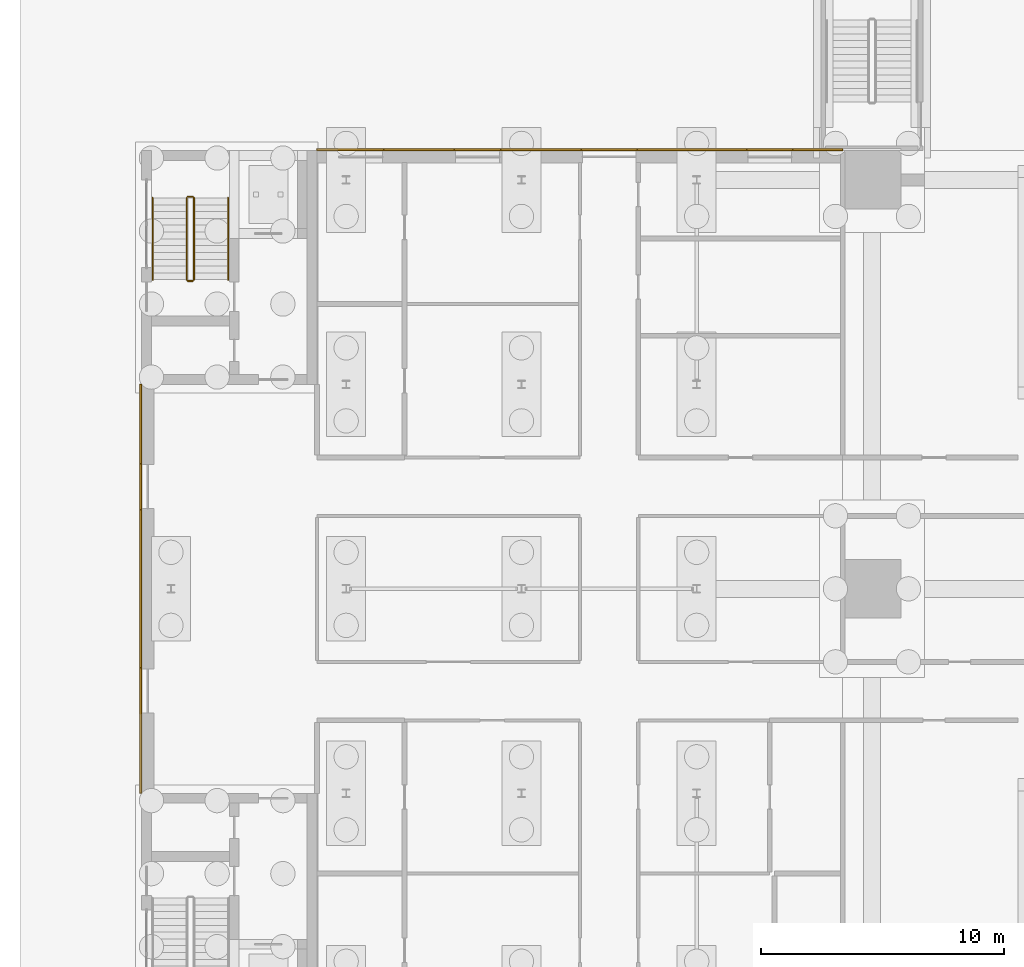
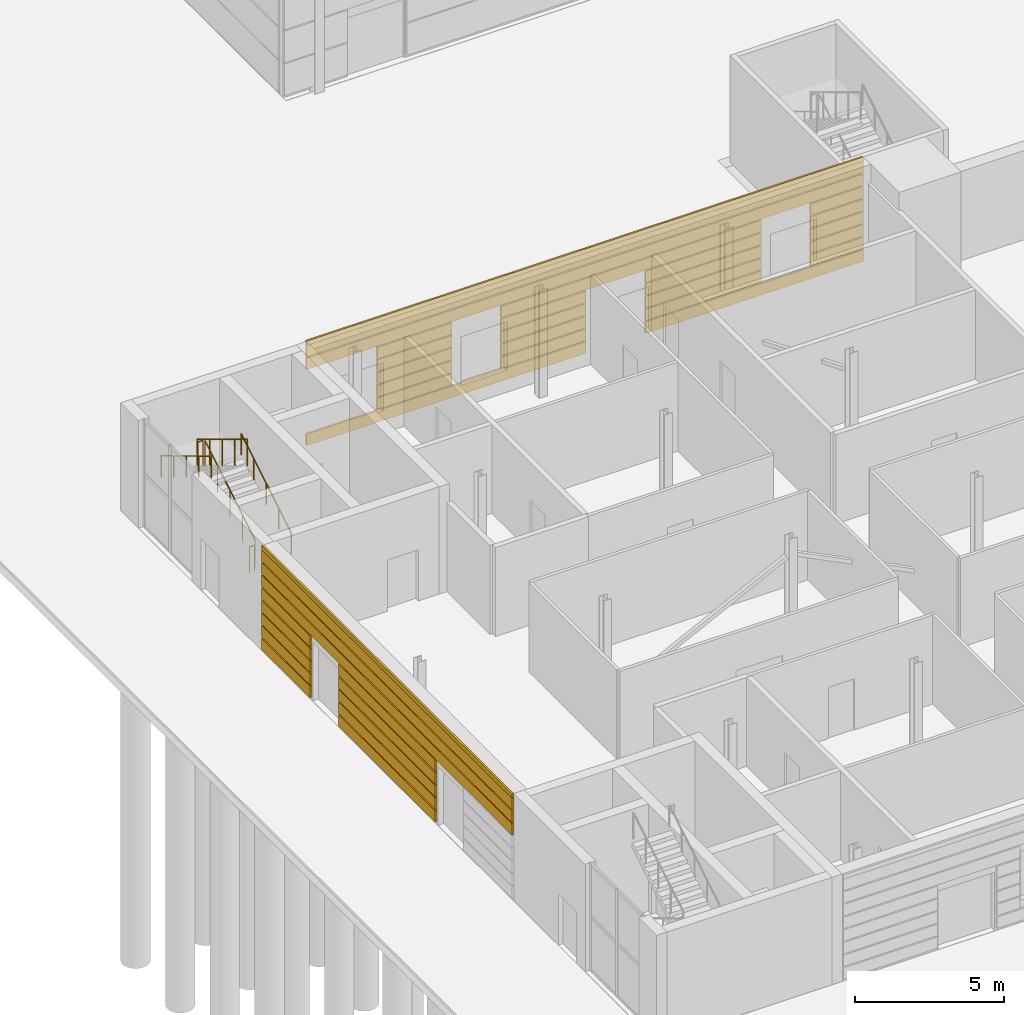
# One storey, part 114 of 139: 38 coverings, 6 railings.
"""IFC4 building model written with IfcOpenShell, lengths in metres."""

from ifc_helpers import new_model, si_unit, direction, frame, origin, origin_2d, place, context, subcontext, project, spatial, rectangle, circle, extrude, material, layer, layer_set, type_object, element, save


model = new_model("IFC4")

# Units and contexts
model_context = context("Model", 3, precision=1e-05, world=origin(), true_north=direction((0.0, 1.0)))
body_context = subcontext(model_context, "Body", "Model", "MODEL_VIEW")
ifc_project = project(units=[si_unit("LENGTHUNIT", "METRE"), si_unit("AREAUNIT", "SQUARE_METRE"), si_unit("VOLUMEUNIT", "CUBIC_METRE"), si_unit("PLANEANGLEUNIT", "RADIAN"), si_unit("MASSUNIT", "GRAM", prefix="KILO")], contexts=[model_context])

# Site, building, storey
site_placement = place(None, origin())
site = spatial("IfcSite", under=ifc_project, at=site_placement, CompositionType="ELEMENT")
building_placement = place(site_placement, origin())
building = spatial("IfcBuilding", under=site, at=building_placement, Name="Verrick Yard Athletic Hall", CompositionType="ELEMENT")
storey_placement = place(building_placement, origin())
storey = spatial("IfcBuildingStorey", under=building, at=storey_placement, Name="L00", CompositionType="ELEMENT", Elevation=0.0)

# Railings
ifc_material_1 = material(Name="Stainless steel", Category="steel")
railing_type_1 = type_object("IfcRailingType", Name="Stair and core guard 1100", PredefinedType="GUARDRAIL", material=ifc_material_1)
railing_1_placement = place(storey_placement, frame((12.14990234375, 48.699951171875, 0.169189453125)))
element("IfcRailing", 1, at=railing_1_placement, inside=storey, type_object=railing_type_1, Name="L00 Wing north-west stair guard 1", PredefinedType="GUARDRAIL", context=body_context, shape_type="SweptSolid", body=[
    extrude(circle(Radius=0.02392578125, at=origin_2d()), frame((0.0, 0.0, 1.076171875), z_axis=(0.0, 0.855836976705, 0.517245656632), x_axis=(-1.0, 0.0, 0.0)), (0.0, 0.0, 1.0), 3.926025390625),
    extrude(circle(Radius=0.02099609375, at=origin_2d()), origin(), (0.0, 0.0, 1.0), 1.052001953125),
    extrude(circle(Radius=0.02099609375, at=origin_2d()), frame((0.0, 0.840087890625, 0.5078125)), (0.0, 0.0, 1.0), 1.052001953125),
    extrude(circle(Radius=0.02099609375, at=origin_2d()), frame((0.0, 1.68017578125, 1.015380859375)), (0.0, 0.0, 1.0), 1.052001953125),
    extrude(circle(Radius=0.02099609375, at=origin_2d()), frame((0.0, 2.52001953125, 1.52294921875)), (0.0, 0.0, 1.0), 1.052001953125),
    extrude(circle(Radius=0.02099609375, at=origin_2d()), frame((0.0, 3.360107421875, 2.03076171875)), (0.0, 0.0, 1.0), 1.052001953125),
])
railing_2_placement = place(storey_placement, frame((12.10009765625, 52.110107421875, 2.199951171875)))
element("IfcRailing", 2, at=railing_2_placement, inside=storey, type_object=railing_type_1, Name="L00 Wing north-west stair guard 2", PredefinedType="GUARDRAIL", context=body_context, shape_type="SweptSolid", body=[
    extrude(circle(Radius=0.02392578125, at=origin_2d()), frame((0.0, 0.0, 1.076171875), z_axis=(-1.0, 0.0, 0.0), x_axis=(0.0, -1.0, 0.0)), (0.0, 0.0, 1.0), 0.2001953125),
    extrude(circle(Radius=0.02099609375, at=origin_2d()), origin(), (0.0, 0.0, 1.0), 1.052001953125),
    extrude(circle(Radius=0.02099609375, at=origin_2d()), frame((-0.2001953125, 0.0, 0.0)), (0.0, 0.0, 1.0), 1.052001953125),
])
railing_3_placement = place(storey_placement, frame((11.85009765625, 52.06005859375, 2.369140625)))
element("IfcRailing", 3, at=railing_3_placement, inside=storey, type_object=railing_type_1, Name="L00 Wing north-west stair guard 3", PredefinedType="GUARDRAIL", context=body_context, shape_type="SweptSolid", body=[
    extrude(circle(Radius=0.02392578125, at=origin_2d()), frame((0.0, 0.0, 1.076171875), z_axis=(0.0, -0.855836976705, 0.517245656632), x_axis=(1.0, 0.0, 0.0)), (0.0, 0.0, 1.0), 3.926025390625),
    extrude(circle(Radius=0.02099609375, at=origin_2d()), origin(), (0.0, 0.0, 1.0), 1.052001953125),
    extrude(circle(Radius=0.02099609375, at=origin_2d()), frame((0.0, -0.840087890625, 0.5078125)), (0.0, 0.0, 1.0), 1.052001953125),
    extrude(circle(Radius=0.02099609375, at=origin_2d()), frame((0.0, -1.68017578125, 1.015380859375)), (0.0, 0.0, 1.0), 1.052001953125),
    extrude(circle(Radius=0.02099609375, at=origin_2d()), frame((0.0, -2.52001953125, 1.52294921875)), (0.0, 0.0, 1.0), 1.052001953125),
    extrude(circle(Radius=0.02099609375, at=origin_2d()), frame((0.0, -3.360107421875, 2.03076171875)), (0.0, 0.0, 1.0), 1.052001953125),
])
railing_4_placement = place(storey_placement, frame((12.10009765625, 48.64990234375, 0.0)))
element("IfcRailing", 4, at=railing_4_placement, inside=storey, type_object=railing_type_1, Name="L00 Wing north-west stair guard 4", PredefinedType="GUARDRAIL", context=body_context, shape_type="SweptSolid", body=[
    extrude(circle(Radius=0.02392578125, at=origin_2d()), frame((0.0, 0.0, 1.076171875), z_axis=(-1.0, 0.0, 0.0), x_axis=(0.0, -1.0, 0.0)), (0.0, 0.0, 1.0), 0.2001953125),
    extrude(circle(Radius=0.02099609375, at=origin_2d()), origin(), (0.0, 0.0, 1.0), 1.052001953125),
    extrude(circle(Radius=0.02099609375, at=origin_2d()), frame((-0.2001953125, 0.0, 0.0)), (0.0, 0.0, 1.0), 1.052001953125),
])
railing_type_2 = type_object("IfcRailingType", Name="Stair handrail 900", PredefinedType="HANDRAIL", material=ifc_material_1)
railing_5_placement = place(storey_placement, frame((13.550048828125, 48.699951171875, 0.169189453125)))
element("IfcRailing", 5, at=railing_5_placement, inside=storey, type_object=railing_type_2, Name="L00 Wing north-west stair handrail 1", PredefinedType="HANDRAIL", context=body_context, shape_type="SweptSolid", body=[
    extrude(circle(Radius=0.02392578125, at=origin_2d()), frame((0.0, 0.0, 0.8759765625), z_axis=(0.0, 0.855836976705, 0.517245656632), x_axis=(-1.0, 0.0, 0.0)), (0.0, 0.0, 1.0), 3.926025390625),
    extrude(circle(Radius=0.02099609375, at=origin_2d()), origin(), (0.0, 0.0, 1.0), 0.851806640625),
    extrude(circle(Radius=0.02099609375, at=origin_2d()), frame((0.0, 0.840087890625, 0.5078125)), (0.0, 0.0, 1.0), 0.851806640625),
    extrude(circle(Radius=0.02099609375, at=origin_2d()), frame((0.0, 1.68017578125, 1.015380859375)), (0.0, 0.0, 1.0), 0.851806640625),
    extrude(circle(Radius=0.02099609375, at=origin_2d()), frame((0.0, 2.52001953125, 1.52294921875)), (0.0, 0.0, 1.0), 0.851806640625),
    extrude(circle(Radius=0.02099609375, at=origin_2d()), frame((0.0, 3.360107421875, 2.03076171875)), (0.0, 0.0, 1.0), 0.851806640625),
])
railing_6_placement = place(storey_placement, frame((10.449951171875, 52.06005859375, 2.369140625)))
element("IfcRailing", 6, at=railing_6_placement, inside=storey, type_object=railing_type_2, Name="L00 Wing north-west stair handrail 2", PredefinedType="HANDRAIL", context=body_context, shape_type="SweptSolid", body=[
    extrude(circle(Radius=0.02392578125, at=origin_2d()), frame((0.0, 0.0, 0.8759765625), z_axis=(0.0, -0.855836976705, 0.517245656632), x_axis=(1.0, 0.0, 0.0)), (0.0, 0.0, 1.0), 3.926025390625),
    extrude(circle(Radius=0.02099609375, at=origin_2d()), origin(), (0.0, 0.0, 1.0), 0.851806640625),
    extrude(circle(Radius=0.02099609375, at=origin_2d()), frame((0.0, -0.840087890625, 0.5078125)), (0.0, 0.0, 1.0), 0.851806640625),
    extrude(circle(Radius=0.02099609375, at=origin_2d()), frame((0.0, -1.68017578125, 1.015380859375)), (0.0, 0.0, 1.0), 0.851806640625),
    extrude(circle(Radius=0.02099609375, at=origin_2d()), frame((0.0, -2.52001953125, 1.52294921875)), (0.0, 0.0, 1.0), 0.851806640625),
    extrude(circle(Radius=0.02099609375, at=origin_2d()), frame((0.0, -3.360107421875, 2.03076171875)), (0.0, 0.0, 1.0), 0.851806640625),
])

# Coverings
ifc_material_2 = material(Name="Tyndall-stone-look precast cladding", Category="masonry")
ifc_layer_1 = layer(ifc_material_2, 0.125)
ifc_layer_set_1 = layer_set([ifc_layer_1], Name="Stone cladding")
covering_type_1 = type_object("IfcCoveringType", Name="Stone cladding", PredefinedType="CLADDING", material=ifc_layer_set_1)
covering_1_placement = place(storey_placement, frame((22.625, 54.03759765625, 0.125), z_axis=(0.0, 0.0, 1.0), x_axis=(1.0, 0.0, 0.0)))
element("IfcCovering", 7, at=covering_1_placement, inside=storey, type_object=covering_type_1, Name="Wing rustication", PredefinedType="CLADDING", context=body_context, shape_type="SweptSolid", body=[
    extrude(rectangle(XDim=10.85009765625, YDim=0.074951171875, at=origin_2d()), origin(), (0.0, 0.0, 1.0), 0.46875),
])
covering_2_placement = place(storey_placement, frame((34.574951171875, 54.03759765625, 0.125), z_axis=(0.0, 0.0, 1.0), x_axis=(1.0, 0.0, 0.0)))
element("IfcCovering", 8, at=covering_2_placement, inside=storey, type_object=covering_type_1, Name="Wing rustication", PredefinedType="CLADDING", context=body_context, shape_type="SweptSolid", body=[
    extrude(rectangle(XDim=8.449951171875, YDim=0.074951171875, at=origin_2d()), origin(), (0.0, 0.0, 1.0), 0.46875),
])
covering_3_placement = place(storey_placement, frame((21.39990234375, 54.03759765625, 0.643798828125), z_axis=(0.0, 0.0, 1.0), x_axis=(1.0, 0.0, 0.0)))
element("IfcCovering", 9, at=covering_3_placement, inside=storey, type_object=covering_type_1, Name="Wing rustication", PredefinedType="CLADDING", context=body_context, shape_type="SweptSolid", body=[
    extrude(rectangle(XDim=2.89990234375, YDim=0.074951171875, at=origin_2d()), origin(), (0.0, 0.0, 1.0), 0.46875),
])
covering_4_placement = place(storey_placement, frame((26.39990234375, 54.03759765625, 0.643798828125), z_axis=(0.0, 0.0, 1.0), x_axis=(1.0, 0.0, 0.0)))
element("IfcCovering", 10, at=covering_4_placement, inside=storey, type_object=covering_type_1, Name="Wing rustication", PredefinedType="CLADDING", context=body_context, shape_type="SweptSolid", body=[
    extrude(rectangle(XDim=3.300048828125, YDim=0.074951171875, at=origin_2d()), origin(), (0.0, 0.0, 1.0), 0.46875),
])
covering_5_placement = place(storey_placement, frame((32.60009765625, 54.03759765625, 0.643798828125), z_axis=(0.0, 0.0, 1.0), x_axis=(1.0, 0.0, 0.0)))
element("IfcCovering", 11, at=covering_5_placement, inside=storey, type_object=covering_type_1, Name="Wing rustication", PredefinedType="CLADDING", context=body_context, shape_type="SweptSolid", body=[
    extrude(rectangle(XDim=4.5, YDim=0.074951171875, at=origin_2d()), origin(), (0.0, 0.0, 1.0), 0.46875),
])
covering_6_placement = place(storey_placement, frame((37.77490234375, 54.03759765625, 0.643798828125), z_axis=(0.0, 0.0, 1.0), x_axis=(1.0, 0.0, 0.0)))
element("IfcCovering", 12, at=covering_6_placement, inside=storey, type_object=covering_type_1, Name="Wing rustication", PredefinedType="CLADDING", context=body_context, shape_type="SweptSolid", body=[
    extrude(rectangle(XDim=2.050048828125, YDim=0.074951171875, at=origin_2d()), origin(), (0.0, 0.0, 1.0), 0.46875),
])
covering_7_placement = place(storey_placement, frame((21.39990234375, 54.03759765625, 1.16259765625), z_axis=(0.0, 0.0, 1.0), x_axis=(1.0, 0.0, 0.0)))
element("IfcCovering", 13, at=covering_7_placement, inside=storey, type_object=covering_type_1, Name="Wing rustication", PredefinedType="CLADDING", context=body_context, shape_type="SweptSolid", body=[
    extrude(rectangle(XDim=2.89990234375, YDim=0.074951171875, at=origin_2d()), origin(), (0.0, 0.0, 1.0), 0.46875),
])
covering_8_placement = place(storey_placement, frame((26.39990234375, 54.03759765625, 1.16259765625), z_axis=(0.0, 0.0, 1.0), x_axis=(1.0, 0.0, 0.0)))
element("IfcCovering", 14, at=covering_8_placement, inside=storey, type_object=covering_type_1, Name="Wing rustication", PredefinedType="CLADDING", context=body_context, shape_type="SweptSolid", body=[
    extrude(rectangle(XDim=3.300048828125, YDim=0.074951171875, at=origin_2d()), origin(), (0.0, 0.0, 1.0), 0.46875),
])
covering_9_placement = place(storey_placement, frame((32.60009765625, 54.03759765625, 1.16259765625), z_axis=(0.0, 0.0, 1.0), x_axis=(1.0, 0.0, 0.0)))
element("IfcCovering", 15, at=covering_9_placement, inside=storey, type_object=covering_type_1, Name="Wing rustication", PredefinedType="CLADDING", context=body_context, shape_type="SweptSolid", body=[
    extrude(rectangle(XDim=4.5, YDim=0.074951171875, at=origin_2d()), origin(), (0.0, 0.0, 1.0), 0.46875),
])
covering_10_placement = place(storey_placement, frame((37.77490234375, 54.03759765625, 1.16259765625), z_axis=(0.0, 0.0, 1.0), x_axis=(1.0, 0.0, 0.0)))
element("IfcCovering", 16, at=covering_10_placement, inside=storey, type_object=covering_type_1, Name="Wing rustication", PredefinedType="CLADDING", context=body_context, shape_type="SweptSolid", body=[
    extrude(rectangle(XDim=2.050048828125, YDim=0.074951171875, at=origin_2d()), origin(), (0.0, 0.0, 1.0), 0.46875),
])
covering_11_placement = place(storey_placement, frame((21.39990234375, 54.03759765625, 1.68115234375), z_axis=(0.0, 0.0, 1.0), x_axis=(1.0, 0.0, 0.0)))
element("IfcCovering", 17, at=covering_11_placement, inside=storey, type_object=covering_type_1, Name="Wing rustication", PredefinedType="CLADDING", context=body_context, shape_type="SweptSolid", body=[
    extrude(rectangle(XDim=2.89990234375, YDim=0.074951171875, at=origin_2d()), origin(), (0.0, 0.0, 1.0), 0.46875),
])
covering_12_placement = place(storey_placement, frame((26.39990234375, 54.03759765625, 1.68115234375), z_axis=(0.0, 0.0, 1.0), x_axis=(1.0, 0.0, 0.0)))
element("IfcCovering", 18, at=covering_12_placement, inside=storey, type_object=covering_type_1, Name="Wing rustication", PredefinedType="CLADDING", context=body_context, shape_type="SweptSolid", body=[
    extrude(rectangle(XDim=3.300048828125, YDim=0.074951171875, at=origin_2d()), origin(), (0.0, 0.0, 1.0), 0.46875),
])
covering_13_placement = place(storey_placement, frame((32.60009765625, 54.03759765625, 1.68115234375), z_axis=(0.0, 0.0, 1.0), x_axis=(1.0, 0.0, 0.0)))
element("IfcCovering", 19, at=covering_13_placement, inside=storey, type_object=covering_type_1, Name="Wing rustication", PredefinedType="CLADDING", context=body_context, shape_type="SweptSolid", body=[
    extrude(rectangle(XDim=4.5, YDim=0.074951171875, at=origin_2d()), origin(), (0.0, 0.0, 1.0), 0.46875),
])
covering_14_placement = place(storey_placement, frame((37.77490234375, 54.03759765625, 1.68115234375), z_axis=(0.0, 0.0, 1.0), x_axis=(1.0, 0.0, 0.0)))
element("IfcCovering", 20, at=covering_14_placement, inside=storey, type_object=covering_type_1, Name="Wing rustication", PredefinedType="CLADDING", context=body_context, shape_type="SweptSolid", body=[
    extrude(rectangle(XDim=2.050048828125, YDim=0.074951171875, at=origin_2d()), origin(), (0.0, 0.0, 1.0), 0.46875),
])
covering_15_placement = place(storey_placement, frame((21.39990234375, 54.03759765625, 2.199951171875), z_axis=(0.0, 0.0, 1.0), x_axis=(1.0, 0.0, 0.0)))
element("IfcCovering", 21, at=covering_15_placement, inside=storey, type_object=covering_type_1, Name="Wing rustication", PredefinedType="CLADDING", context=body_context, shape_type="SweptSolid", body=[
    extrude(rectangle(XDim=2.89990234375, YDim=0.074951171875, at=origin_2d()), origin(), (0.0, 0.0, 1.0), 0.46875),
])
covering_16_placement = place(storey_placement, frame((26.39990234375, 54.03759765625, 2.199951171875), z_axis=(0.0, 0.0, 1.0), x_axis=(1.0, 0.0, 0.0)))
element("IfcCovering", 22, at=covering_16_placement, inside=storey, type_object=covering_type_1, Name="Wing rustication", PredefinedType="CLADDING", context=body_context, shape_type="SweptSolid", body=[
    extrude(rectangle(XDim=3.300048828125, YDim=0.074951171875, at=origin_2d()), origin(), (0.0, 0.0, 1.0), 0.46875),
])
covering_17_placement = place(storey_placement, frame((32.60009765625, 54.03759765625, 2.199951171875), z_axis=(0.0, 0.0, 1.0), x_axis=(1.0, 0.0, 0.0)))
element("IfcCovering", 23, at=covering_17_placement, inside=storey, type_object=covering_type_1, Name="Wing rustication", PredefinedType="CLADDING", context=body_context, shape_type="SweptSolid", body=[
    extrude(rectangle(XDim=4.5, YDim=0.074951171875, at=origin_2d()), origin(), (0.0, 0.0, 1.0), 0.46875),
])
covering_18_placement = place(storey_placement, frame((37.77490234375, 54.03759765625, 2.199951171875), z_axis=(0.0, 0.0, 1.0), x_axis=(1.0, 0.0, 0.0)))
element("IfcCovering", 24, at=covering_18_placement, inside=storey, type_object=covering_type_1, Name="Wing rustication", PredefinedType="CLADDING", context=body_context, shape_type="SweptSolid", body=[
    extrude(rectangle(XDim=2.050048828125, YDim=0.074951171875, at=origin_2d()), origin(), (0.0, 0.0, 1.0), 0.46875),
])
covering_19_placement = place(storey_placement, frame((21.39990234375, 54.03759765625, 2.71875), z_axis=(0.0, 0.0, 1.0), x_axis=(1.0, 0.0, 0.0)))
element("IfcCovering", 25, at=covering_19_placement, inside=storey, type_object=covering_type_1, Name="Wing rustication", PredefinedType="CLADDING", context=body_context, shape_type="SweptSolid", body=[
    extrude(rectangle(XDim=2.89990234375, YDim=0.074951171875, at=origin_2d()), origin(), (0.0, 0.0, 1.0), 0.46875),
])
covering_20_placement = place(storey_placement, frame((29.800048828125, 54.03759765625, 2.71875), z_axis=(0.0, 0.0, 1.0), x_axis=(1.0, 0.0, 0.0)))
element("IfcCovering", 26, at=covering_20_placement, inside=storey, type_object=covering_type_1, Name="Wing rustication", PredefinedType="CLADDING", context=body_context, shape_type="SweptSolid", body=[
    extrude(rectangle(XDim=10.10009765625, YDim=0.074951171875, at=origin_2d()), origin(), (0.0, 0.0, 1.0), 0.46875),
])
covering_21_placement = place(storey_placement, frame((37.77490234375, 54.03759765625, 2.71875), z_axis=(0.0, 0.0, 1.0), x_axis=(1.0, 0.0, 0.0)))
element("IfcCovering", 27, at=covering_21_placement, inside=storey, type_object=covering_type_1, Name="Wing rustication", PredefinedType="CLADDING", context=body_context, shape_type="SweptSolid", body=[
    extrude(rectangle(XDim=2.050048828125, YDim=0.074951171875, at=origin_2d()), origin(), (0.0, 0.0, 1.0), 0.46875),
])
for number, where, z_axis, x_axis, name in (
    (28, (28.0, 54.03759765625, 3.237548828125), (0.0, 0.0, 1.0), (1.0, 0.0, 0.0), "Wing rustication"),
    (29, (28.0, 54.03759765625, 3.75634765625), (0.0, 0.0, 1.0), (1.0, 0.0, 0.0), "Wing rustication"),
):
    element("IfcCovering", number, at=place(storey_placement, frame(where, z_axis=z_axis, x_axis=x_axis)), inside=storey, type_object=covering_type_1, Name=name, PredefinedType="CLADDING", context=body_context, shape_type="SweptSolid", body=[
        extrude(rectangle(XDim=21.60009765625, YDim=0.074951171875, at=origin_2d()), origin(), (0.0, 0.0, 1.0), 0.46875),
    ])
covering_22_placement = place(storey_placement, frame((9.96240234375, 36.0, 0.125), z_axis=(0.0, 0.0, 1.0), x_axis=(0.0, 1.0, 0.0)))
element("IfcCovering", 30, at=covering_22_placement, inside=storey, type_object=covering_type_1, Name="Wing rustication", PredefinedType="CLADDING", context=body_context, shape_type="SweptSolid", body=[
    extrude(rectangle(XDim=6.5, YDim=0.074951171875, at=origin_2d()), origin(), (0.0, 0.0, 1.0), 0.46875),
])
covering_23_placement = place(storey_placement, frame((9.96240234375, 42.77490234375, 0.125), z_axis=(0.0, 0.0, 1.0), x_axis=(0.0, 1.0, 0.0)))
element("IfcCovering", 31, at=covering_23_placement, inside=storey, type_object=covering_type_1, Name="Wing rustication", PredefinedType="CLADDING", context=body_context, shape_type="SweptSolid", body=[
    extrude(rectangle(XDim=3.25, YDim=0.074951171875, at=origin_2d()), origin(), (0.0, 0.0, 1.0), 0.46875),
])
covering_24_placement = place(storey_placement, frame((9.96240234375, 36.0, 0.643798828125), z_axis=(0.0, 0.0, 1.0), x_axis=(0.0, 1.0, 0.0)))
element("IfcCovering", 32, at=covering_24_placement, inside=storey, type_object=covering_type_1, Name="Wing rustication", PredefinedType="CLADDING", context=body_context, shape_type="SweptSolid", body=[
    extrude(rectangle(XDim=6.5, YDim=0.074951171875, at=origin_2d()), origin(), (0.0, 0.0, 1.0), 0.46875),
])
covering_25_placement = place(storey_placement, frame((9.96240234375, 42.77490234375, 0.643798828125), z_axis=(0.0, 0.0, 1.0), x_axis=(0.0, 1.0, 0.0)))
element("IfcCovering", 33, at=covering_25_placement, inside=storey, type_object=covering_type_1, Name="Wing rustication", PredefinedType="CLADDING", context=body_context, shape_type="SweptSolid", body=[
    extrude(rectangle(XDim=3.25, YDim=0.074951171875, at=origin_2d()), origin(), (0.0, 0.0, 1.0), 0.46875),
])
covering_26_placement = place(storey_placement, frame((9.96240234375, 36.0, 1.16259765625), z_axis=(0.0, 0.0, 1.0), x_axis=(0.0, 1.0, 0.0)))
element("IfcCovering", 34, at=covering_26_placement, inside=storey, type_object=covering_type_1, Name="Wing rustication", PredefinedType="CLADDING", context=body_context, shape_type="SweptSolid", body=[
    extrude(rectangle(XDim=6.5, YDim=0.074951171875, at=origin_2d()), origin(), (0.0, 0.0, 1.0), 0.46875),
])
covering_27_placement = place(storey_placement, frame((9.96240234375, 42.77490234375, 1.16259765625), z_axis=(0.0, 0.0, 1.0), x_axis=(0.0, 1.0, 0.0)))
element("IfcCovering", 35, at=covering_27_placement, inside=storey, type_object=covering_type_1, Name="Wing rustication", PredefinedType="CLADDING", context=body_context, shape_type="SweptSolid", body=[
    extrude(rectangle(XDim=3.25, YDim=0.074951171875, at=origin_2d()), origin(), (0.0, 0.0, 1.0), 0.46875),
])
covering_28_placement = place(storey_placement, frame((9.96240234375, 36.0, 1.68115234375), z_axis=(0.0, 0.0, 1.0), x_axis=(0.0, 1.0, 0.0)))
element("IfcCovering", 36, at=covering_28_placement, inside=storey, type_object=covering_type_1, Name="Wing rustication", PredefinedType="CLADDING", context=body_context, shape_type="SweptSolid", body=[
    extrude(rectangle(XDim=6.5, YDim=0.074951171875, at=origin_2d()), origin(), (0.0, 0.0, 1.0), 0.46875),
])
covering_29_placement = place(storey_placement, frame((9.96240234375, 42.77490234375, 1.68115234375), z_axis=(0.0, 0.0, 1.0), x_axis=(0.0, 1.0, 0.0)))
element("IfcCovering", 37, at=covering_29_placement, inside=storey, type_object=covering_type_1, Name="Wing rustication", PredefinedType="CLADDING", context=body_context, shape_type="SweptSolid", body=[
    extrude(rectangle(XDim=3.25, YDim=0.074951171875, at=origin_2d()), origin(), (0.0, 0.0, 1.0), 0.46875),
])
covering_30_placement = place(storey_placement, frame((9.96240234375, 36.0, 2.199951171875), z_axis=(0.0, 0.0, 1.0), x_axis=(0.0, 1.0, 0.0)))
element("IfcCovering", 38, at=covering_30_placement, inside=storey, type_object=covering_type_1, Name="Wing rustication", PredefinedType="CLADDING", context=body_context, shape_type="SweptSolid", body=[
    extrude(rectangle(XDim=6.5, YDim=0.074951171875, at=origin_2d()), origin(), (0.0, 0.0, 1.0), 0.46875),
])
covering_31_placement = place(storey_placement, frame((9.96240234375, 42.77490234375, 2.199951171875), z_axis=(0.0, 0.0, 1.0), x_axis=(0.0, 1.0, 0.0)))
element("IfcCovering", 39, at=covering_31_placement, inside=storey, type_object=covering_type_1, Name="Wing rustication", PredefinedType="CLADDING", context=body_context, shape_type="SweptSolid", body=[
    extrude(rectangle(XDim=3.25, YDim=0.074951171875, at=origin_2d()), origin(), (0.0, 0.0, 1.0), 0.46875),
])
for number, where, z_axis, x_axis, name in (
    (40, (9.96240234375, 36.0, 2.71875), (0.0, 0.0, 1.0), (0.0, 1.0, 0.0), "Wing rustication"),
    (41, (9.96240234375, 36.0, 3.237548828125), (0.0, 0.0, 1.0), (0.0, 1.0, 0.0), "Wing rustication"),
    (42, (9.96240234375, 36.0, 3.75634765625), (0.0, 0.0, 1.0), (0.0, 1.0, 0.0), "Wing rustication"),
):
    element("IfcCovering", number, at=place(storey_placement, frame(where, z_axis=z_axis, x_axis=x_axis)), inside=storey, type_object=covering_type_1, Name=name, PredefinedType="CLADDING", context=body_context, shape_type="SweptSolid", body=[
        extrude(rectangle(XDim=16.800048828125, YDim=0.074951171875, at=origin_2d()), origin(), (0.0, 0.0, 1.0), 0.46875),
    ])
ifc_layer_2 = layer(ifc_material_2, 0.25)
ifc_layer_set_2 = layer_set([ifc_layer_2], Name="Stone moulding")
covering_type_2 = type_object("IfcCoveringType", Name="Stone moulding", PredefinedType="MOLDING", material=ifc_layer_set_2)
covering_32_placement = place(storey_placement, frame((28.0, 54.03759765625, 4.14990234375), z_axis=(0.0, 0.0, 1.0), x_axis=(1.0, 0.0, 0.0)))
element("IfcCovering", 43, at=covering_32_placement, inside=storey, type_object=covering_type_2, Name="String course", PredefinedType="MOLDING", context=body_context, shape_type="SweptSolid", body=[
    extrude(rectangle(XDim=21.60009765625, YDim=0.074951171875, at=origin_2d()), origin(), (0.0, 0.0, 1.0), 0.25),
])
covering_33_placement = place(storey_placement, frame((9.96240234375, 36.0, 4.14990234375), z_axis=(0.0, 0.0, 1.0), x_axis=(0.0, 1.0, 0.0)))
element("IfcCovering", 44, at=covering_33_placement, inside=storey, type_object=covering_type_2, Name="String course", PredefinedType="MOLDING", context=body_context, shape_type="SweptSolid", body=[
    extrude(rectangle(XDim=16.800048828125, YDim=0.074951171875, at=origin_2d()), origin(), (0.0, 0.0, 1.0), 0.25),
])

save(model, "model.ifc")
